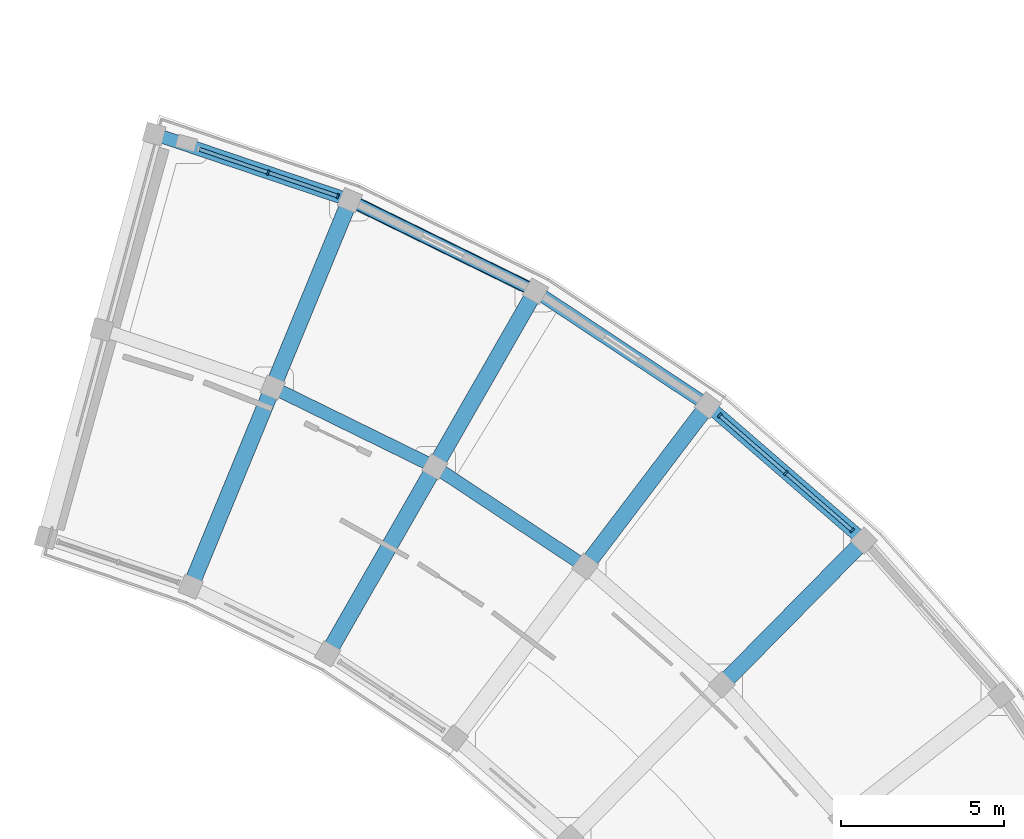
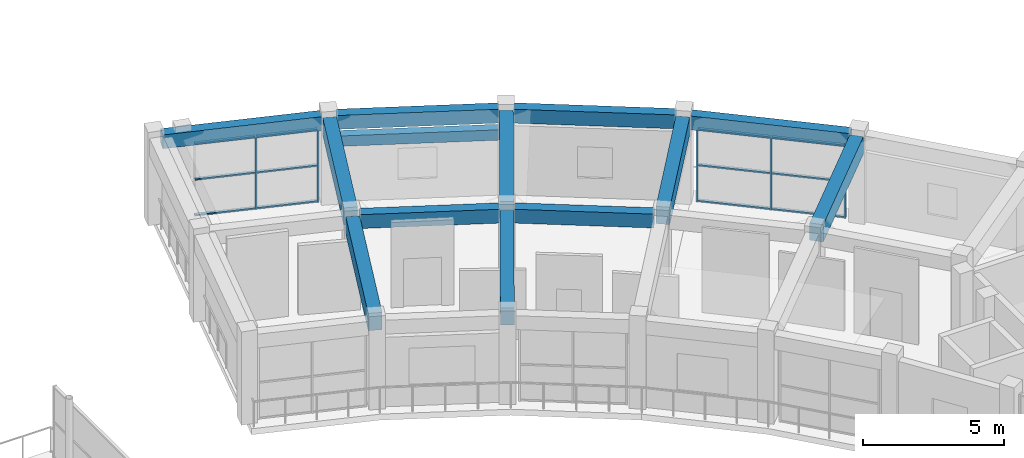
# One storey, part 36 of 70: 17 members, 13 beams, 2 elements without a shape of their own.
"""IFC4 building model written with IfcOpenShell, lengths in metres."""

from ifc_helpers import new_model, si_unit, direction, frame, origin, origin_2d, place, context, subcontext, project, spatial, rectangle, extrude, material, material_profile, profile_set, type_object, element, aggregate, save


model = new_model("IFC4")

# Units and contexts
model_context = context("Model", 3, precision=1e-05, world=origin(), true_north=direction((0.0, 1.0)))
body_context = subcontext(model_context, "Body", "Model", "MODEL_VIEW")
ifc_project = project(units=[si_unit("LENGTHUNIT", "METRE"), si_unit("AREAUNIT", "SQUARE_METRE"), si_unit("VOLUMEUNIT", "CUBIC_METRE"), si_unit("PLANEANGLEUNIT", "RADIAN"), si_unit("MASSUNIT", "GRAM", prefix="KILO")], contexts=[model_context])

# Site, building, storey
site_placement = place(None, origin())
site = spatial("IfcSite", under=ifc_project, at=site_placement, CompositionType="ELEMENT")
building_placement = place(site_placement, origin())
building = spatial("IfcBuilding", under=site, at=building_placement, Name="Saryqyr Civic Hall", CompositionType="ELEMENT")
storey_placement = place(building_placement, frame((0.0, 0.0, 13.199951171875)))
storey = spatial("IfcBuildingStorey", under=building, at=storey_placement, Name="L03", CompositionType="ELEMENT", Elevation=13.199951171875)

# Curtain wall, members
ifc_material_1 = material(Name="Anodised aluminium and triple low-E glass", Category="aluminium")
curtain_wall_type_1 = type_object("IfcCurtainWallType", Name="ENV-CW-STD-39", PredefinedType="NOTDEFINED", material=ifc_material_1)
curtain_wall_1_placement = place(storey_placement, origin())
curtain_wall_1 = element("IfcCurtainWall", 1, at=curtain_wall_1_placement, inside=storey, type_object=curtain_wall_type_1, Name="Curtain wall V6-CWO-L03-06", PredefinedType="NOTDEFINED")
ifc_material_2 = material(Name="Anodised aluminium", Category="aluminium")
ifc_material_profile_1 = material_profile(ifc_material_2, rectangle(XDim=0.06005859375, YDim=0.159912109375, at=origin_2d()), Name="ALU MULLION 60x160")
ifc_profile_set_1 = profile_set([ifc_material_profile_1], Name="Anodised aluminium")
member_type_1 = type_object("IfcMemberType", Name="ENV-CW-MUL-180", PredefinedType="MULLION", material=ifc_profile_set_1)
member_1_placement = place(storey_placement, frame((86.998291015625, 122.707763671875, 0.0), z_axis=(0.0, 0.0, 1.0), x_axis=(0.755657475938, -0.654967006085, 0.0)))
member_1 = element("IfcMember", 2, at=member_1_placement, type_object=member_type_1, Name="CW-39 mullion 1", PredefinedType="MULLION", context=body_context, shape_type="SweptSolid", body=[
    extrude(rectangle(XDim=0.06005859375, YDim=0.159912109375, at=origin_2d()), origin(), (0.0, 0.0, 1.0), 3.1650390625),
])
member_2_placement = place(storey_placement, frame((89.026611328125, 120.94970703125, 0.0), z_axis=(0.0, 0.0, 1.0), x_axis=(0.755657475938, -0.654967006085, 0.0)))
member_2 = element("IfcMember", 3, at=member_2_placement, type_object=member_type_1, Name="CW-39 mullion 2", PredefinedType="MULLION", context=body_context, shape_type="SweptSolid", body=[
    extrude(rectangle(XDim=0.06005859375, YDim=0.159912109375, at=origin_2d()), origin(), (0.0, 0.0, 1.0), 3.1650390625),
])
member_3_placement = place(storey_placement, frame((91.054931640625, 119.191650390625, 0.0), z_axis=(0.0, 0.0, 1.0), x_axis=(0.755657475938, -0.654967006085, 0.0)))
member_3 = element("IfcMember", 4, at=member_3_placement, type_object=member_type_1, Name="CW-39 mullion 3", PredefinedType="MULLION", context=body_context, shape_type="SweptSolid", body=[
    extrude(rectangle(XDim=0.06005859375, YDim=0.159912109375, at=origin_2d()), origin(), (0.0, 0.0, 1.0), 3.1650390625),
])

curtain_wall_type_2 = type_object("IfcCurtainWallType", Name="ENV-CW-STD-30", PredefinedType="NOTDEFINED", material=ifc_material_1)
curtain_wall_2_placement = place(storey_placement, origin())
curtain_wall_2 = element("IfcCurtainWall", 5, at=curtain_wall_2_placement, inside=storey, type_object=curtain_wall_type_2, Name="Curtain wall V6-CWO-L03-09", PredefinedType="NOTDEFINED")
member_4_placement = place(storey_placement, frame((73.173583984375, 130.1484375, 0.0), z_axis=(0.0, 0.0, 1.0), x_axis=(0.947190494511, -0.320671431699, 0.0)))
member_4 = element("IfcMember", 6, at=member_4_placement, type_object=member_type_1, Name="CW-30 mullion 2", PredefinedType="MULLION", context=body_context, shape_type="SweptSolid", body=[
    extrude(rectangle(XDim=0.06005859375, YDim=0.159912109375, at=origin_2d()), origin(), (0.0, 0.0, 1.0), 3.1650390625),
])
member_5_placement = place(storey_placement, frame((75.30810546875, 129.42578125, 0.0), z_axis=(0.0, 0.0, 1.0), x_axis=(0.947190494511, -0.320671431699, 0.0)))
member_5 = element("IfcMember", 7, at=member_5_placement, type_object=member_type_1, Name="CW-30 mullion 3", PredefinedType="MULLION", context=body_context, shape_type="SweptSolid", body=[
    extrude(rectangle(XDim=0.06005859375, YDim=0.159912109375, at=origin_2d()), origin(), (0.0, 0.0, 1.0), 3.1650390625),
])

# Member
ifc_material_profile_2 = material_profile(ifc_material_2, rectangle(XDim=0.1201171875, YDim=0.06005859375, at=origin_2d()), Name="ALU TRANSOM 120x60")
ifc_profile_set_2 = profile_set([ifc_material_profile_2], Name="Anodised aluminium")
member_type_2 = type_object("IfcMemberType", Name="ENV-CW-TRN-150", PredefinedType="USERDEFINED", material=ifc_profile_set_2)
member_6_placement = place(storey_placement, frame((87.02099609375, 122.688232421875, 0.030029296875), z_axis=(0.755646104704, -0.65498012523, 0.0), x_axis=(0.65498012523, 0.755646104704, 0.0)))
member_6 = element("IfcMember", 8, at=member_6_placement, type_object=member_type_2, Name="CW-39 transom 1.1", ObjectType="TRANSOM", PredefinedType="USERDEFINED", context=body_context, shape_type="SweptSolid", body=[
    extrude(rectangle(XDim=0.1201171875, YDim=0.06005859375, at=origin_2d()), origin(), (0.0, 0.0, 1.0), 2.6240234375),
])

member_7_placement = place(storey_placement, frame((87.02099609375, 122.688232421875, 1.58203125), z_axis=(0.755646104704, -0.65498012523, 0.0), x_axis=(0.65498012523, 0.755646104704, 0.0)))
member_7 = element("IfcMember", 9, at=member_7_placement, type_object=member_type_2, Name="CW-39 transom 1.2", ObjectType="TRANSOM", PredefinedType="USERDEFINED", context=body_context, shape_type="SweptSolid", body=[
    extrude(rectangle(XDim=0.1201171875, YDim=0.06005859375, at=origin_2d()), origin(), (0.0, 0.0, 1.0), 2.6240234375),
])

member_8_placement = place(storey_placement, frame((87.02099609375, 122.688232421875, 3.135009765625), z_axis=(0.755646104704, -0.65498012523, 0.0), x_axis=(0.65498012523, 0.755646104704, 0.0)))
member_8 = element("IfcMember", 10, at=member_8_placement, type_object=member_type_2, Name="CW-39 transom 1.3", ObjectType="TRANSOM", PredefinedType="USERDEFINED", context=body_context, shape_type="SweptSolid", body=[
    extrude(rectangle(XDim=0.1201171875, YDim=0.06005859375, at=origin_2d()), origin(), (0.0, 0.0, 1.0), 2.6240234375),
])

member_9_placement = place(storey_placement, frame((89.04931640625, 120.93017578125, 0.030029296875), z_axis=(0.755639971157, -0.654987201393, 0.0), x_axis=(0.654987201393, 0.755639971157, 0.0)))
member_9 = element("IfcMember", 11, at=member_9_placement, type_object=member_type_2, Name="CW-39 transom 2.1", ObjectType="TRANSOM", PredefinedType="USERDEFINED", context=body_context, shape_type="SweptSolid", body=[
    extrude(rectangle(XDim=0.1201171875, YDim=0.06005859375, at=origin_2d()), origin(), (0.0, 0.0, 1.0), 2.62451171875),
])

member_10_placement = place(storey_placement, frame((89.04931640625, 120.93017578125, 1.58203125), z_axis=(0.755639971157, -0.654987201393, 0.0), x_axis=(0.654987201393, 0.755639971157, 0.0)))
member_10 = element("IfcMember", 12, at=member_10_placement, type_object=member_type_2, Name="CW-39 transom 2.2", ObjectType="TRANSOM", PredefinedType="USERDEFINED", context=body_context, shape_type="SweptSolid", body=[
    extrude(rectangle(XDim=0.1201171875, YDim=0.06005859375, at=origin_2d()), origin(), (0.0, 0.0, 1.0), 2.62451171875),
])

member_11_placement = place(storey_placement, frame((89.04931640625, 120.93017578125, 3.135009765625), z_axis=(0.755639971157, -0.654987201393, 0.0), x_axis=(0.654987201393, 0.755639971157, 0.0)))
member_11 = element("IfcMember", 13, at=member_11_placement, type_object=member_type_2, Name="CW-39 transom 2.3", ObjectType="TRANSOM", PredefinedType="USERDEFINED", context=body_context, shape_type="SweptSolid", body=[
    extrude(rectangle(XDim=0.1201171875, YDim=0.06005859375, at=origin_2d()), origin(), (0.0, 0.0, 1.0), 2.62451171875),
])

aggregate(curtain_wall_1, [member_1, member_2, member_3, member_6, member_7, member_8, member_9, member_10, member_11])

member_12_placement = place(storey_placement, frame((71.0673828125, 130.861572265625, 0.030029296875), z_axis=(0.947158756622, -0.320765162936, 0.0), x_axis=(0.320765162936, 0.947158756622, 0.0)))
member_12 = element("IfcMember", 14, at=member_12_placement, type_object=member_type_2, Name="CW-30 transom 1.1", ObjectType="TRANSOM", PredefinedType="USERDEFINED", context=body_context, shape_type="SweptSolid", body=[
    extrude(rectangle(XDim=0.1201171875, YDim=0.06005859375, at=origin_2d()), origin(), (0.0, 0.0, 1.0), 2.193603515625),
])

member_13_placement = place(storey_placement, frame((71.0673828125, 130.861572265625, 1.58203125), z_axis=(0.947158756622, -0.320765162936, 0.0), x_axis=(0.320765162936, 0.947158756622, 0.0)))
member_13 = element("IfcMember", 15, at=member_13_placement, type_object=member_type_2, Name="CW-30 transom 1.2", ObjectType="TRANSOM", PredefinedType="USERDEFINED", context=body_context, shape_type="SweptSolid", body=[
    extrude(rectangle(XDim=0.1201171875, YDim=0.06005859375, at=origin_2d()), origin(), (0.0, 0.0, 1.0), 2.193603515625),
])

member_14_placement = place(storey_placement, frame((71.0673828125, 130.861572265625, 3.135009765625), z_axis=(0.947158756622, -0.320765162936, 0.0), x_axis=(0.320765162936, 0.947158756622, 0.0)))
member_14 = element("IfcMember", 16, at=member_14_placement, type_object=member_type_2, Name="CW-30 transom 1.3", ObjectType="TRANSOM", PredefinedType="USERDEFINED", context=body_context, shape_type="SweptSolid", body=[
    extrude(rectangle(XDim=0.1201171875, YDim=0.06005859375, at=origin_2d()), origin(), (0.0, 0.0, 1.0), 2.193603515625),
])

member_15_placement = place(storey_placement, frame((73.201904296875, 130.138916015625, 0.030029296875), z_axis=(0.947192567084, -0.320665309726, 0.0), x_axis=(0.320665309726, 0.947192567084, 0.0)))
member_15 = element("IfcMember", 17, at=member_15_placement, type_object=member_type_2, Name="CW-30 transom 2.1", ObjectType="TRANSOM", PredefinedType="USERDEFINED", context=body_context, shape_type="SweptSolid", body=[
    extrude(rectangle(XDim=0.1201171875, YDim=0.06005859375, at=origin_2d()), origin(), (0.0, 0.0, 1.0), 2.193359375),
])

member_16_placement = place(storey_placement, frame((73.201904296875, 130.138916015625, 1.58203125), z_axis=(0.947192567084, -0.320665309726, 0.0), x_axis=(0.320665309726, 0.947192567084, 0.0)))
member_16 = element("IfcMember", 18, at=member_16_placement, type_object=member_type_2, Name="CW-30 transom 2.2", ObjectType="TRANSOM", PredefinedType="USERDEFINED", context=body_context, shape_type="SweptSolid", body=[
    extrude(rectangle(XDim=0.1201171875, YDim=0.06005859375, at=origin_2d()), origin(), (0.0, 0.0, 1.0), 2.193359375),
])

member_17_placement = place(storey_placement, frame((73.201904296875, 130.138916015625, 3.135009765625), z_axis=(0.947192567084, -0.320665309726, 0.0), x_axis=(0.320665309726, 0.947192567084, 0.0)))
member_17 = element("IfcMember", 19, at=member_17_placement, type_object=member_type_2, Name="CW-30 transom 2.3", ObjectType="TRANSOM", PredefinedType="USERDEFINED", context=body_context, shape_type="SweptSolid", body=[
    extrude(rectangle(XDim=0.1201171875, YDim=0.06005859375, at=origin_2d()), origin(), (0.0, 0.0, 1.0), 2.193359375),
])

aggregate(curtain_wall_2, [member_4, member_5, member_12, member_13, member_14, member_15, member_16, member_17])

# Beams
ifc_material_3 = material(Name="Concrete C35/45", Category="concrete")
ifc_material_profile_3 = material_profile(ifc_material_3, rectangle(XDim=0.39990234375, YDim=0.60009765625, at=origin_2d()), Name="RC 400x600")
ifc_profile_set_3 = profile_set([ifc_material_profile_3], Name="Concrete C35/45")
beam_type_1 = type_object("IfcBeamType", Name="STR-BM-RC400x600", PredefinedType="BEAM", material=ifc_profile_set_3)
for number, where, z_axis, x_axis, name in (
    (20, (82.656494140625, 118.236572265625, 3.489990234375), (-0.833759218515, 0.552128214767, 0.0), (-0.552128214767, -0.833759218515, 0.0), "Beam V6-CBM-MID07-L03"),
    (21, (78.030029296875, 121.257568359375, 3.489990234375), (-0.897969369862, 0.440057962989, 0.0), (-0.440057962989, -0.897969369862, 0.0), "Beam V6-CBM-MID08-L03"),
):
    element("IfcBeam", number, at=place(storey_placement, frame(where, z_axis=z_axis, x_axis=x_axis)), inside=storey, type_object=beam_type_1, Name=name, PredefinedType="BEAM", context=body_context, shape_type="SweptSolid", body=[
        extrude(rectangle(XDim=0.39990234375, YDim=0.60009765625, at=origin_2d()), origin(), (0.0, 0.0, 1.0), 4.9775390625),
    ])
ifc_material_profile_4 = material_profile(ifc_material_3, rectangle(XDim=0.39990234375, YDim=0.60009765625, at=origin_2d()), Name="RC 400x600")
ifc_profile_set_4 = profile_set([ifc_material_profile_4], Name="Concrete C35/45")
beam_type_2 = type_object("IfcBeamType", Name="STR-BM-RC400x600-EXT", PredefinedType="BEAM", material=ifc_profile_set_4)
beam_1_placement = place(storey_placement, frame((91.2099609375, 119.057373046875, 3.489990234375), z_axis=(-0.755654230233, 0.654970750745, 0.0), x_axis=(-0.654970750745, -0.755654230233, 0.0)))
element("IfcBeam", 22, at=beam_1_placement, inside=storey, type_object=beam_type_2, Name="Beam V6-CBM-OUT06-L03", PredefinedType="BEAM", context=body_context, shape_type="SweptSolid", body=[
    extrude(rectangle(XDim=0.39990234375, YDim=0.60009765625, at=origin_2d()), origin(), (0.0, 0.0, 1.0), 5.7783203125),
])
for number, where, z_axis, x_axis, name in (
    (23, (86.40625, 123.174072265625, 3.489990234375), (-0.833762314581, 0.552123539422, 0.0), (-0.552123539422, -0.833762314581, 0.0), "Beam V6-CBM-OUT07-L03"),
    (24, (81.1123046875, 126.63720703125, 3.489990234375), (-0.897964591433, 0.440067713577, 0.0), (-0.440067713577, -0.897964591433, 0.0), "Beam V6-CBM-OUT08-L03"),
    (25, (75.416015625, 129.389404296875, 3.489990234375), (-0.947202743772, 0.320635247892, 0.0), (-0.320635247892, -0.947202743772, 0.0), "Beam V6-CBM-OUT09-L03"),
):
    element("IfcBeam", number, at=place(storey_placement, frame(where, z_axis=z_axis, x_axis=x_axis)), inside=storey, type_object=beam_type_2, Name=name, PredefinedType="BEAM", context=body_context, shape_type="SweptSolid", body=[
        extrude(rectangle(XDim=0.39990234375, YDim=0.60009765625, at=origin_2d()), origin(), (0.0, 0.0, 1.0), 5.778564453125),
    ])
ifc_material_4 = material(Name="Concrete C40/50", Category="concrete")
ifc_material_profile_5 = material_profile(ifc_material_4, rectangle(XDim=0.5, YDim=0.75, at=origin_2d()), Name="RC 500x750")
ifc_profile_set_5 = profile_set([ifc_material_profile_5], Name="Concrete C40/50")
beam_type_3 = type_object("IfcBeamType", Name="STR-BM-RC500x750", PredefinedType="BEAM", material=ifc_profile_set_5)
for number, where, z_axis, x_axis, name in (
    (26, (87.256103515625, 114.659912109375, 3.4150390625), (0.702381187414, 0.711801002785, 0.0), (-0.711801002785, 0.702381187414, 0.0), "Beam V6-RBM-B06-L03"),
    (27, (83.052001953125, 118.3037109375, 3.4150390625), (0.604814812056, 0.796366148903, 0.0), (-0.796366148903, 0.604814812056, 0.0), "Beam V6-RBM-B07-L03"),
):
    element("IfcBeam", number, at=place(storey_placement, frame(where, z_axis=z_axis, x_axis=x_axis)), inside=storey, type_object=beam_type_3, Name=name, PredefinedType="BEAM", context=body_context, shape_type="SweptSolid", body=[
        extrude(rectangle(XDim=0.5, YDim=0.75, at=origin_2d()), origin(), (0.0, 0.0, 1.0), 5.650146484375),
    ])
beam_2_placement = place(storey_placement, frame((75.132568359375, 115.648681640625, 3.4150390625), z_axis=(0.497164210685, 0.867656468664, 0.0), x_axis=(-0.867656468664, 0.497164210685, 0.0)))
element("IfcBeam", 28, at=beam_2_placement, inside=storey, type_object=beam_type_3, Name="Beam V6-RBM-A08-L03", PredefinedType="BEAM", context=body_context, shape_type="SweptSolid", body=[
    extrude(rectangle(XDim=0.5, YDim=0.75, at=origin_2d()), origin(), (0.0, 0.0, 1.0), 6.050048828125),
])
beam_3_placement = place(storey_placement, frame((78.413818359375, 121.375244140625, 3.4150390625), z_axis=(0.497106570518, 0.867689493741, 0.0), x_axis=(-0.867689493741, 0.497106570518, 0.0)))
element("IfcBeam", 29, at=beam_3_placement, inside=storey, type_object=beam_type_3, Name="Beam V6-RBM-B08-L03", PredefinedType="BEAM", context=body_context, shape_type="SweptSolid", body=[
    extrude(rectangle(XDim=0.5, YDim=0.75, at=origin_2d()), origin(), (0.0, 0.0, 1.0), 5.64990234375),
])
beam_4_placement = place(storey_placement, frame((70.902587890625, 117.7216796875, 3.4150390625), z_axis=(0.381145552092, 0.924515044832, 0.0), x_axis=(-0.924515044832, 0.381145552092, 0.0)))
element("IfcBeam", 30, at=beam_4_placement, inside=storey, type_object=beam_type_3, Name="Beam V6-RBM-A09-L03", PredefinedType="BEAM", context=body_context, shape_type="SweptSolid", body=[
    extrude(rectangle(XDim=0.5, YDim=0.75, at=origin_2d()), origin(), (0.0, 0.0, 1.0), 6.050048828125),
])
beam_5_placement = place(storey_placement, frame((73.418212890625, 123.8232421875, 3.4150390625), z_axis=(0.381114889866, 0.924527685212, 0.0), x_axis=(-0.924527685212, 0.381114889866, 0.0)))
element("IfcBeam", 31, at=beam_5_placement, inside=storey, type_object=beam_type_3, Name="Beam V6-RBM-B09-L03", PredefinedType="BEAM", context=body_context, shape_type="SweptSolid", body=[
    extrude(rectangle(XDim=0.5, YDim=0.75, at=origin_2d()), origin(), (0.0, 0.0, 1.0), 5.650146484375),
])
ifc_material_5 = material(Name="Precast concrete C40/50", Category="concrete")
ifc_material_profile_6 = material_profile(ifc_material_5, rectangle(XDim=0.35009765625, YDim=0.449951171875, at=origin_2d()), Name="RC 350x450")
ifc_profile_set_6 = profile_set([ifc_material_profile_6], Name="Precast concrete C40/50")
beam_type_4 = type_object("IfcBeamType", Name="STR-LIN-RC350x450", PredefinedType="LINTEL", material=ifc_profile_set_6)
beam_6_placement = place(storey_placement, frame((81.1123046875, 126.63720703125, 2.655029296875), z_axis=(-0.897964591433, 0.440067713577, 0.0), x_axis=(-0.440067713577, -0.897964591433, 0.0)))
element("IfcBeam", 32, at=beam_6_placement, inside=storey, type_object=beam_type_4, Name="Beam V6-LIN-08-L03", PredefinedType="LINTEL", context=body_context, shape_type="SweptSolid", body=[
    extrude(rectangle(XDim=0.35009765625, YDim=0.449951171875, at=origin_2d()), origin(), (0.0, 0.0, 1.0), 5.778564453125),
])

save(model, "model.ifc")
